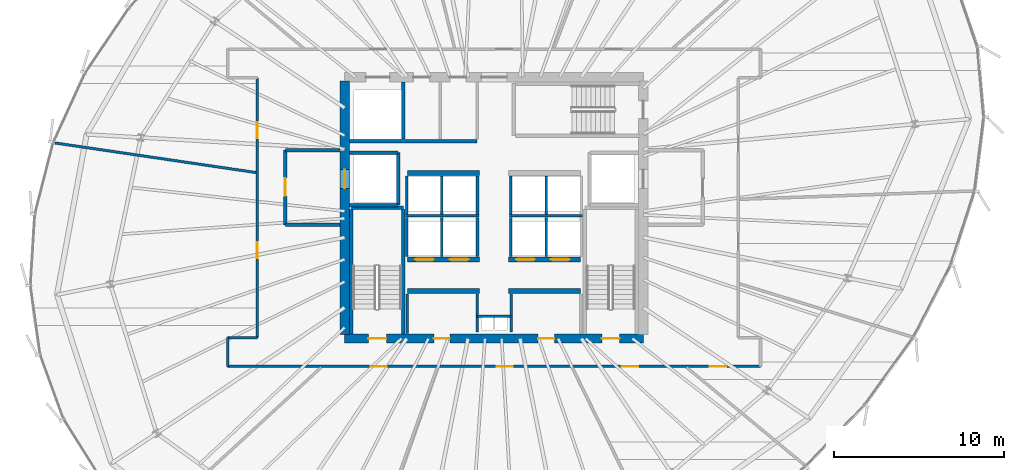
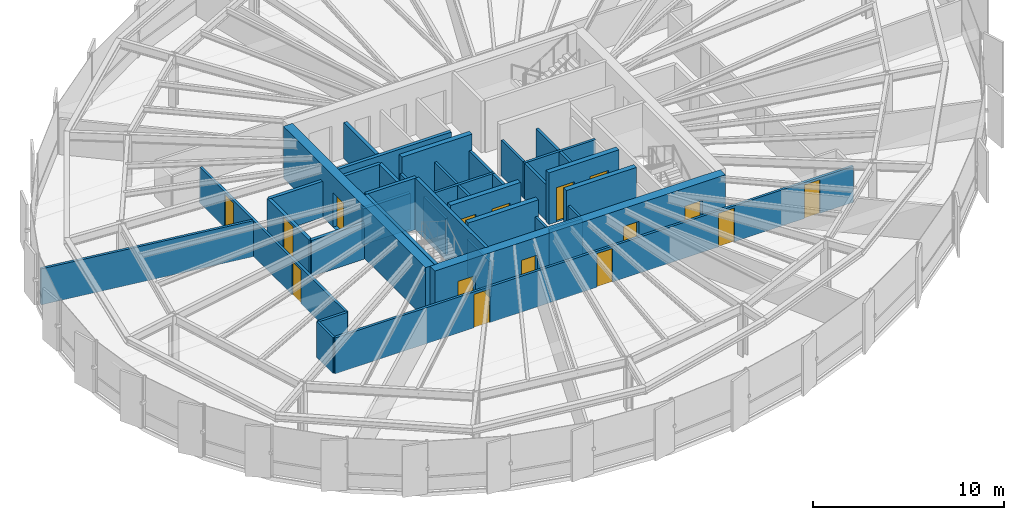
# One storey, part 29 of 35: 39 walls, 16 doors, 16 openings.
"""IFC4 building model written with IfcOpenShell, lengths in metres."""

from ifc_helpers import new_model, si_unit, direction, frame, frame_2d, origin, place, context, subcontext, project, spatial, rectangle, extrude, source, transform, mapped, material, layer, layer_set, type_object, element, fill, save


model = new_model("IFC4")

# Units and contexts
model_context = context("Model", 3, precision=1e-05, world=origin(), true_north=direction((0.0, 1.0)))
body_context = subcontext(model_context, "Body", "Model", "MODEL_VIEW")
ifc_project = project(units=[si_unit("LENGTHUNIT", "METRE"), si_unit("AREAUNIT", "SQUARE_METRE"), si_unit("VOLUMEUNIT", "CUBIC_METRE"), si_unit("PLANEANGLEUNIT", "RADIAN"), si_unit("MASSUNIT", "GRAM", prefix="KILO"), si_unit("THERMODYNAMICTEMPERATUREUNIT", "KELVIN")], contexts=[model_context])

# Site, building, storey
site_placement = place(None, origin())
site = spatial("IfcSite", under=ifc_project, at=site_placement, CompositionType="ELEMENT")
building_placement = place(site_placement, origin())
building = spatial("IfcBuilding", under=site, at=building_placement, Name="Kethvar Cultural Tower", CompositionType="ELEMENT")
storey_placement = place(building_placement, frame((0.0, 0.0, 139.449951171875)))
storey = spatial("IfcBuildingStorey", under=building, at=storey_placement, Name="L35", CompositionType="ELEMENT", Elevation=139.449951171875)

# Wall, openings, doors
ifc_material_1 = material(Name="Concrete C60/75", Category="concrete")
ifc_layer_1 = layer(ifc_material_1, 0.550048828125, Name="Concrete C60/75", Category="concrete")
ifc_layer_set_1 = layer_set([ifc_layer_1], Name="Concrete C60/75 (550 mm)")
wall_type_1 = type_object("IfcWallType", Name="WL-CORE-550", PredefinedType="SHEAR", material=ifc_layer_set_1)
wall_1_placement = place(storey_placement, frame((38.0, 20.10009765625, 0.0), z_axis=(0.0, 0.0, 1.0), x_axis=(1.0, 0.0, 0.0)))
wall_1 = element("IfcWall", 1, at=wall_1_placement, inside=storey, type_object=wall_type_1, Name="L35 Core Shear Wall S", PredefinedType="SHEAR", context=body_context, shape_type="SweptSolid", body=[
    extrude(rectangle(XDim=17.60009765625, YDim=0.550048828125, at=frame_2d((8.800048828125, 0.0))), origin(), (0.0, 0.0, 1.0), 3.300048828125),
])
opening_1_placement = place(wall_1_placement, frame((1.39990234375, 0.0, 0.0)))
opening_1 = element("IfcOpeningElement", 2, at=opening_1_placement, cuts=wall_1, Name="Opening D-L35-S1", PredefinedType="OPENING", context=body_context, shape_type="SweptSolid", body=[
    extrude(rectangle(XDim=1.050048828125, YDim=2.14990234375, at=frame_2d((0.52490234375, 1.074951171875))), frame((0.0, 0.284912109375, 0.0), z_axis=(0.0, -1.0, 0.0), x_axis=(1.0, 0.0, 0.0)), (0.0, 0.0, 1.0), 0.570068359375),
])
opening_2_placement = place(wall_1_placement, frame((15.14990234375, 0.0, 0.0)))
opening_2 = element("IfcOpeningElement", 3, at=opening_2_placement, cuts=wall_1, Name="Opening D-L35-ST2", PredefinedType="OPENING", context=body_context, shape_type="SweptSolid", body=[
    extrude(rectangle(XDim=1.050048828125, YDim=2.14990234375, at=frame_2d((0.52490234375, 1.074951171875))), frame((0.0, 0.284912109375, 0.0), z_axis=(0.0, -1.0, 0.0), x_axis=(1.0, 0.0, 0.0)), (0.0, 0.0, 1.0), 0.570068359375),
])
opening_3_placement = place(wall_1_placement, frame((5.25, 0.0, 0.0)))
opening_3 = element("IfcOpeningElement", 4, at=opening_3_placement, cuts=wall_1, Name="Opening D-L35-V1", PredefinedType="OPENING", context=body_context, shape_type="SweptSolid", body=[
    extrude(rectangle(XDim=0.949951171875, YDim=2.14990234375, at=frame_2d((0.47509765625, 1.074951171875))), frame((0.0, 0.284912109375, 0.0), z_axis=(0.0, -1.0, 0.0), x_axis=(1.0, 0.0, 0.0)), (0.0, 0.0, 1.0), 0.570068359375),
])
opening_4_placement = place(wall_1_placement, frame((11.39990234375, 0.0, 0.0)))
opening_4 = element("IfcOpeningElement", 5, at=opening_4_placement, cuts=wall_1, Name="Opening D-L35-V2", PredefinedType="OPENING", context=body_context, shape_type="SweptSolid", body=[
    extrude(rectangle(XDim=0.949951171875, YDim=2.14990234375, at=frame_2d((0.47509765625, 1.074951171875))), frame((0.0, 0.284912109375, 0.0), z_axis=(0.0, -1.0, 0.0), x_axis=(1.0, 0.0, 0.0)), (0.0, 0.0, 1.0), 0.570068359375),
])
ifc_material_2 = material(Name="Steel S355J2", Category="steel")
door_type_1 = type_object("IfcDoorType", Name="DR-FD60-1050", OperationType="NOTDEFINED", PredefinedType="DOOR", material=ifc_material_2)
shared_shape_1 = source(origin(), body_context, "Body", "SweptSolid", [
    extrude(rectangle(XDim=1.050048828125, YDim=2.14990234375, at=frame_2d((0.52490234375, 1.074951171875))), frame((0.0, 0.02490234375, 0.0), z_axis=(0.0, -1.0, 0.0), x_axis=(1.0, 0.0, 0.0)), (0.0, 0.0, 1.0), 0.050048828125),
])
door_1_placement = place(opening_1_placement, origin())
door_1 = element("IfcDoor", 6, at=door_1_placement, inside=storey, type_object=door_type_1, Name="L35 Exit Stair 1 Door", OperationType="SINGLE_SWING_LEFT", OverallHeight=2.14990234375, OverallWidth=1.050048828125, PredefinedType="DOOR", context=body_context, shape_type="MappedRepresentation", body=[
    mapped(shared_shape_1, transform((0.0, 0.0, 0.0), scale=1.0)),
])
fill(opening_1, door_1)
door_2_placement = place(opening_2_placement, origin())
door_2 = element("IfcDoor", 7, at=door_2_placement, inside=storey, type_object=door_type_1, Name="L35 Exit Stair 2 Door", OperationType="SINGLE_SWING_RIGHT", OverallHeight=2.14990234375, OverallWidth=1.050048828125, PredefinedType="DOOR", context=body_context, shape_type="MappedRepresentation", body=[
    mapped(shared_shape_1, transform((0.0, 0.0, 0.0), scale=1.0)),
])
fill(opening_2, door_2)
ifc_material_3 = material(Name="Architectural Oak Timber", Category="wood")
door_type_2 = type_object("IfcDoorType", Name="DR-FD30-950", OperationType="NOTDEFINED", PredefinedType="DOOR", material=ifc_material_3)
shared_shape_2 = source(origin(), body_context, "Body", "SweptSolid", [
    extrude(rectangle(XDim=0.949951171875, YDim=2.14990234375, at=frame_2d((0.47509765625, 1.074951171875))), frame((0.0, 0.02490234375, 0.0), z_axis=(0.0, -1.0, 0.0), x_axis=(1.0, 0.0, 0.0)), (0.0, 0.0, 1.0), 0.050048828125),
])
door_3_placement = place(opening_3_placement, origin())
door_3 = element("IfcDoor", 8, at=door_3_placement, inside=storey, type_object=door_type_2, Name="L35 Reclaimed West Room Door", OperationType="SINGLE_SWING_LEFT", OverallHeight=2.14990234375, OverallWidth=0.949951171875, PredefinedType="DOOR", context=body_context, shape_type="MappedRepresentation", body=[
    mapped(shared_shape_2, transform((0.0, 0.0, 0.0), scale=1.0)),
])
fill(opening_3, door_3)
door_4_placement = place(opening_4_placement, origin())
door_4 = element("IfcDoor", 9, at=door_4_placement, inside=storey, type_object=door_type_2, Name="L35 Reclaimed East Room Door", OperationType="SINGLE_SWING_RIGHT", OverallHeight=2.14990234375, OverallWidth=0.949951171875, PredefinedType="DOOR", context=body_context, shape_type="MappedRepresentation", body=[
    mapped(shared_shape_2, transform((0.0, 0.0, 0.0), scale=1.0)),
])
fill(opening_4, door_4)

# Wall, opening, door
wall_2_placement = place(storey_placement, frame((38.0, 35.260009765625, 0.0), z_axis=(0.0, 0.0, 1.0), x_axis=(0.0, -1.0, 0.0)))
wall_2 = element("IfcWall", 10, at=wall_2_placement, inside=storey, type_object=wall_type_1, Name="L35 Core Shear Wall W", PredefinedType="SHEAR", context=body_context, shape_type="SweptSolid", body=[
    extrude(rectangle(XDim=14.919921875, YDim=0.550048828125, at=frame_2d((7.4599609375, 0.0))), origin(), (0.0, 0.0, 1.0), 3.300048828125),
])
opening_5_placement = place(wall_2_placement, frame((5.2099609375, 0.0, 0.0)))
opening_5 = element("IfcOpeningElement", 11, at=opening_5_placement, cuts=wall_2, Name="Opening LD-1", PredefinedType="OPENING", context=body_context, shape_type="SweptSolid", body=[
    extrude(rectangle(XDim=1.10009765625, YDim=2.199951171875, at=frame_2d((0.550048828125, 1.10009765625))), frame((0.0, 0.284912109375, 0.0), z_axis=(0.0, -1.0, 0.0), x_axis=(1.0, 0.0, 0.0)), (0.0, 0.0, 1.0), 0.570068359375),
])
door_type_3 = type_object("IfcDoorType", Name="DR-LIFT-SLIDE-1100", OperationType="NOTDEFINED", PredefinedType="DOOR", material=ifc_material_2)
shared_shape_3 = source(origin(), body_context, "Body", "SweptSolid", [
    extrude(rectangle(XDim=1.10009765625, YDim=2.199951171875, at=frame_2d((0.550048828125, 1.10009765625))), frame((0.0, 0.02490234375, 0.0), z_axis=(0.0, -1.0, 0.0), x_axis=(1.0, 0.0, 0.0)), (0.0, 0.0, 1.0), 0.050048828125),
])
door_5_placement = place(opening_5_placement, origin())
door_5 = element("IfcDoor", 12, at=door_5_placement, inside=storey, type_object=door_type_3, Name="L35 Firefighting Lift Landing Door FFL-01", OperationType="SLIDING_TO_LEFT", OverallHeight=2.199951171875, OverallWidth=1.10009765625, PredefinedType="DOOR", context=body_context, shape_type="MappedRepresentation", body=[
    mapped(shared_shape_3, transform((0.0, 0.0, 0.0), scale=1.0)),
])
fill(opening_5, door_5)

# Walls
ifc_material_4 = material(Name="Gypsum Fireboard Partition")
ifc_layer_2 = layer(ifc_material_4, 0.14990234375, Name="Gypsum Fireboard Partition")
ifc_layer_set_2 = layer_set([ifc_layer_2], Name="Gypsum Fireboard Partition (150 mm)")
wall_type_2 = type_object("IfcWallType", Name="WL-FIRE-150", PredefinedType="PARTITIONING", material=ifc_layer_set_2)
wall_3_placement = place(storey_placement, frame((45.800048828125, 21.419921875, 0.0), z_axis=(0.0, 0.0, 1.0), x_axis=(1.0, 0.0, 0.0)))
element("IfcWall", 13, at=wall_3_placement, inside=storey, type_object=wall_type_2, Name="L35 Core Riser Wall", PredefinedType="PARTITIONING", context=body_context, shape_type="SweptSolid", body=[
    extrude(rectangle(XDim=2.0, YDim=0.14990234375, at=frame_2d((1.0, 0.0))), origin(), (0.0, 0.0, 1.0), 2.304931640625),
])
for number, where, z_axis, x_axis, name in (
    (14, (45.800048828125, 20.47998046875, 0.0), (0.0, 0.0, 1.0), (0.0, 1.0, 0.0), "L35 Core Riser West Wall"),
    (15, (47.800048828125, 20.47998046875, 0.0), (0.0, 0.0, 1.0), (0.0, 1.0, 0.0), "L35 Core Riser East Wall"),
):
    element("IfcWall", number, at=place(storey_placement, frame(where, z_axis=z_axis, x_axis=x_axis)), inside=storey, type_object=wall_type_2, Name=name, PredefinedType="PARTITIONING", context=body_context, shape_type="SweptSolid", body=[
        extrude(rectangle(XDim=2.239990234375, YDim=0.14990234375, at=frame_2d((1.1201171875, 0.0))), origin(), (0.0, 0.0, 1.0), 2.304931640625),
    ])
wall_4_placement = place(storey_placement, frame((41.679931640625, 20.385009765625, 0.0), z_axis=(0.0, 0.0, 1.0), x_axis=(0.0, 1.0, 0.0)))
element("IfcWall", 16, at=wall_4_placement, inside=storey, type_object=wall_type_2, Name="L35 Reclaimed West Outer Wall", PredefinedType="PARTITIONING", context=body_context, shape_type="SweptSolid", body=[
    extrude(rectangle(XDim=2.344970703125, YDim=0.14990234375, at=frame_2d((1.17236328125, 0.0))), origin(), (0.0, 0.0, 1.0), 2.304931640625),
])
wall_5_placement = place(storey_placement, frame((41.580078125, 27.324951171875, 0.0), z_axis=(0.0, 0.0, 1.0), x_axis=(1.0, 0.0, 0.0)))
element("IfcWall", 17, at=wall_5_placement, inside=storey, type_object=wall_type_2, Name="L35 Mid-High Lift Shaft Back Wall W", PredefinedType="PARTITIONING", context=body_context, shape_type="SweptSolid", body=[
    extrude(rectangle(XDim=4.31982421875, YDim=0.14990234375, at=frame_2d((2.159912109375, 0.0))), origin(), (0.0, 0.0, 1.0), 2.304931640625),
])
wall_6_placement = place(storey_placement, frame((47.699951171875, 27.324951171875, 0.0), z_axis=(0.0, 0.0, 1.0), x_axis=(1.0, 0.0, 0.0)))
element("IfcWall", 18, at=wall_6_placement, inside=storey, type_object=wall_type_2, Name="L35 Mid-High Lift Shaft Back Wall E", PredefinedType="PARTITIONING", context=body_context, shape_type="SweptSolid", body=[
    extrude(rectangle(XDim=4.320068359375, YDim=0.14990234375, at=frame_2d((2.16015625, 0.0))), origin(), (0.0, 0.0, 1.0), 2.304931640625),
])
for number, where, z_axis, x_axis, name in (
    (19, (41.64990234375, 24.919921875, 0.0), (0.0, 0.0, 1.0), (0.0, 1.0, 0.0), "L35 Mid-Rise Lift Shaft Outer Wall W"),
    (20, (43.72509765625, 24.919921875, 0.0), (0.0, 0.0, 1.0), (0.0, 1.0, 0.0), "L35 Mid-Rise Lift Shaft Divider W"),
    (21, (45.824951171875, 24.919921875, 0.0), (0.0, 0.0, 1.0), (0.0, 1.0, 0.0), "L35 Mid-Rise Lift Shaft Concourse Wall W"),
    (22, (47.77490234375, 24.919921875, 0.0), (0.0, 0.0, 1.0), (0.0, 1.0, 0.0), "L35 Mid-Rise Lift Shaft Concourse Wall E"),
    (23, (49.875, 24.919921875, 0.0), (0.0, 0.0, 1.0), (0.0, 1.0, 0.0), "L35 Mid-Rise Lift Shaft Divider E"),
):
    element("IfcWall", number, at=place(storey_placement, frame(where, z_axis=z_axis, x_axis=x_axis)), inside=storey, type_object=wall_type_2, Name=name, PredefinedType="PARTITIONING", context=body_context, shape_type="SweptSolid", body=[
        extrude(rectangle(XDim=2.320068359375, YDim=0.14990234375, at=frame_2d((1.16015625, 0.0))), origin(), (0.0, 0.0, 1.0), 2.304931640625),
    ])
for number, where, z_axis, x_axis, name in (
    (24, (41.64990234375, 27.409912109375, 0.0), (0.0, 0.0, 1.0), (0.0, 1.0, 0.0), "L35 High-Rise Lift Shaft Outer Wall W"),
    (25, (43.72509765625, 27.409912109375, 0.0), (0.0, 0.0, 1.0), (0.0, 1.0, 0.0), "L35 High-Rise Lift Shaft Divider W"),
    (26, (45.824951171875, 27.409912109375, 0.0), (0.0, 0.0, 1.0), (0.0, 1.0, 0.0), "L35 High-Rise Lift Shaft Concourse Wall W"),
    (27, (47.77490234375, 27.409912109375, 0.0), (0.0, 0.0, 1.0), (0.0, 1.0, 0.0), "L35 High-Rise Lift Shaft Concourse Wall E"),
    (28, (49.875, 27.409912109375, 0.0), (0.0, 0.0, 1.0), (0.0, 1.0, 0.0), "L35 High-Rise Lift Shaft Divider E"),
):
    element("IfcWall", number, at=place(storey_placement, frame(where, z_axis=z_axis, x_axis=x_axis)), inside=storey, type_object=wall_type_2, Name=name, PredefinedType="PARTITIONING", context=body_context, shape_type="SweptSolid", body=[
        extrude(rectangle(XDim=2.27001953125, YDim=0.14990234375, at=frame_2d((1.135009765625, 0.0))), origin(), (0.0, 0.0, 1.0), 2.304931640625),
    ])

# Wall, openings, doors
wall_7_placement = place(storey_placement, frame((31.10009765625, 18.449951171875, 0.0), z_axis=(0.0, 0.0, 1.0), x_axis=(1.0, 0.0, 0.0)))
wall_7 = element("IfcWall", 29, at=wall_7_placement, inside=storey, type_object=wall_type_2, Name="L35 Corridor Rated Wall S", PredefinedType="PARTITIONING", context=body_context, shape_type="SweptSolid", body=[
    extrude(rectangle(XDim=31.39990234375, YDim=0.14990234375, at=frame_2d((15.699951171875, 0.0))), origin(), (0.0, 0.0, 1.0), 2.304931640625),
])
opening_6_placement = place(wall_7_placement, frame((8.432861328125, 0.0, 0.0)))
opening_6 = element("IfcOpeningElement", 30, at=opening_6_placement, cuts=wall_7, Name="Opening D-L35-01", PredefinedType="OPENING", context=body_context, shape_type="SweptSolid", body=[
    extrude(rectangle(XDim=0.949951171875, YDim=2.14990234375, at=frame_2d((0.47509765625, 1.074951171875))), frame((0.0, 0.0849609375, 0.0), z_axis=(0.0, -1.0, 0.0), x_axis=(1.0, 0.0, 0.0)), (0.0, 0.0, 1.0), 0.169921875),
])
opening_7_placement = place(wall_7_placement, frame((15.86083984375, 0.0, 0.0)))
opening_7 = element("IfcOpeningElement", 31, at=opening_7_placement, cuts=wall_7, Name="Opening D-L35-02", PredefinedType="OPENING", context=body_context, shape_type="SweptSolid", body=[
    extrude(rectangle(XDim=0.949951171875, YDim=2.14990234375, at=frame_2d((0.47509765625, 1.074951171875))), frame((0.0, 0.0849609375, 0.0), z_axis=(0.0, -1.0, 0.0), x_axis=(1.0, 0.0, 0.0)), (0.0, 0.0, 1.0), 0.169921875),
])
opening_8_placement = place(wall_7_placement, frame((23.23388671875, 0.0, 0.0)))
opening_8 = element("IfcOpeningElement", 32, at=opening_8_placement, cuts=wall_7, Name="Opening D-L35-03", PredefinedType="OPENING", context=body_context, shape_type="SweptSolid", body=[
    extrude(rectangle(XDim=0.949951171875, YDim=2.14990234375, at=frame_2d((0.47509765625, 1.074951171875))), frame((0.0, 0.0849609375, 0.0), z_axis=(0.0, -1.0, 0.0), x_axis=(1.0, 0.0, 0.0)), (0.0, 0.0, 1.0), 0.169921875),
])
opening_9_placement = place(wall_7_placement, frame((28.424072265625, 0.0, 0.0)))
opening_9 = element("IfcOpeningElement", 33, at=opening_9_placement, cuts=wall_7, Name="Opening D-L35-04", PredefinedType="OPENING", context=body_context, shape_type="SweptSolid", body=[
    extrude(rectangle(XDim=0.949951171875, YDim=2.14990234375, at=frame_2d((0.47509765625, 1.074951171875))), frame((0.0, 0.0849609375, 0.0), z_axis=(0.0, -1.0, 0.0), x_axis=(1.0, 0.0, 0.0)), (0.0, 0.0, 1.0), 0.169921875),
])
door_6_placement = place(opening_6_placement, origin())
door_6 = element("IfcDoor", 34, at=door_6_placement, inside=storey, type_object=door_type_2, Name="L35 Compact Archival Store 01 Door", OperationType="SINGLE_SWING_RIGHT", OverallHeight=2.14990234375, OverallWidth=0.949951171875, PredefinedType="DOOR", context=body_context, shape_type="MappedRepresentation", body=[
    mapped(shared_shape_2, transform((0.0, 0.0, 0.0), scale=1.0)),
])
fill(opening_6, door_6)
door_7_placement = place(opening_7_placement, origin())
door_7 = element("IfcDoor", 35, at=door_7_placement, inside=storey, type_object=door_type_2, Name="L35 Rare Folio Storage 02 Door", OperationType="SINGLE_SWING_LEFT", OverallHeight=2.14990234375, OverallWidth=0.949951171875, PredefinedType="DOOR", context=body_context, shape_type="MappedRepresentation", body=[
    mapped(shared_shape_2, transform((0.0, 0.0, 0.0), scale=1.0)),
])
fill(opening_7, door_7)
door_8_placement = place(opening_8_placement, origin())
door_8 = element("IfcDoor", 36, at=door_8_placement, inside=storey, type_object=door_type_2, Name="L35 Publication Archive Store 03 Door", OperationType="SINGLE_SWING_RIGHT", OverallHeight=2.14990234375, OverallWidth=0.949951171875, PredefinedType="DOOR", context=body_context, shape_type="MappedRepresentation", body=[
    mapped(shared_shape_2, transform((0.0, 0.0, 0.0), scale=1.0)),
])
fill(opening_8, door_8)
door_9_placement = place(opening_9_placement, origin())
door_9 = element("IfcDoor", 37, at=door_9_placement, inside=storey, type_object=door_type_2, Name="L35 Special Collections Storage 04 Door", OperationType="SINGLE_SWING_LEFT", OverallHeight=2.14990234375, OverallWidth=0.949951171875, PredefinedType="DOOR", context=body_context, shape_type="MappedRepresentation", body=[
    mapped(shared_shape_2, transform((0.0, 0.0, 0.0), scale=1.0)),
])
fill(opening_9, door_9)

wall_8_placement = place(storey_placement, frame((32.85009765625, 35.449951171875, 0.0), z_axis=(0.0, 0.0, 1.0), x_axis=(0.0, -1.0, 0.0)))
wall_8 = element("IfcWall", 38, at=wall_8_placement, inside=storey, type_object=wall_type_2, Name="L35 Corridor Rated Wall WM", PredefinedType="PARTITIONING", context=body_context, shape_type="SweptSolid", body=[
    extrude(rectangle(XDim=15.300048828125, YDim=0.14990234375, at=frame_2d((7.64990234375, 0.0))), origin(), (0.0, 0.0, 1.0), 2.304931640625),
])
opening_10_placement = place(wall_8_placement, frame((2.60693359375, 0.0, 0.0)))
opening_10 = element("IfcOpeningElement", 39, at=opening_10_placement, cuts=wall_8, Name="Opening D-L35-10", PredefinedType="OPENING", context=body_context, shape_type="SweptSolid", body=[
    extrude(rectangle(XDim=0.949951171875, YDim=2.14990234375, at=frame_2d((0.47509765625, 1.074951171875))), frame((0.0, 0.0849609375, 0.0), z_axis=(0.0, -1.0, 0.0), x_axis=(1.0, 0.0, 0.0)), (0.0, 0.0, 1.0), 0.169921875),
])
opening_11_placement = place(wall_8_placement, frame((9.675537109375, 0.0, 0.0)))
opening_11 = element("IfcOpeningElement", 40, at=opening_11_placement, cuts=wall_8, Name="Opening D-L35-11", PredefinedType="OPENING", context=body_context, shape_type="SweptSolid", body=[
    extrude(rectangle(XDim=0.949951171875, YDim=2.14990234375, at=frame_2d((0.47509765625, 1.074951171875))), frame((0.0, 0.0849609375, 0.0), z_axis=(0.0, -1.0, 0.0), x_axis=(1.0, 0.0, 0.0)), (0.0, 0.0, 1.0), 0.169921875),
])
door_10_placement = place(opening_10_placement, origin())
door_10 = element("IfcDoor", 41, at=door_10_placement, inside=storey, type_object=door_type_2, Name="L35 Delegation Briefing Foyer 10 Door", OperationType="SINGLE_SWING_LEFT", OverallHeight=2.14990234375, OverallWidth=0.949951171875, PredefinedType="DOOR", context=body_context, shape_type="MappedRepresentation", body=[
    mapped(shared_shape_2, transform((0.0, 0.0, 0.0), scale=1.0)),
])
fill(opening_10, door_10)
door_11_placement = place(opening_11_placement, origin())
door_11 = element("IfcDoor", 42, at=door_11_placement, inside=storey, type_object=door_type_2, Name="L35 Executive Boardroom 11 Door", OperationType="SINGLE_SWING_RIGHT", OverallHeight=2.14990234375, OverallWidth=0.949951171875, PredefinedType="DOOR", context=body_context, shape_type="MappedRepresentation", body=[
    mapped(shared_shape_2, transform((0.0, 0.0, 0.0), scale=1.0)),
])
fill(opening_11, door_11)

# Walls
wall_9_placement = place(storey_placement, frame((32.85009765625, 20.14990234375, 0.0), z_axis=(0.0, 0.0, 1.0), x_axis=(-1.0, 0.0, 0.0)))
element("IfcWall", 43, at=wall_9_placement, inside=storey, type_object=wall_type_2, Name="L35 Corridor Rated Wall WST", PredefinedType="PARTITIONING", context=body_context, shape_type="SweptSolid", body=[
    extrude(rectangle(XDim=1.75, YDim=0.14990234375, at=frame_2d((0.875, 0.0))), origin(), (0.0, 0.0, 1.0), 2.304931640625),
])
wall_10_placement = place(storey_placement, frame((31.10009765625, 20.14990234375, 0.0), z_axis=(0.0, 0.0, 1.0), x_axis=(0.0, -1.0, 0.0)))
element("IfcWall", 44, at=wall_10_placement, inside=storey, type_object=wall_type_2, Name="L35 Corridor Rated Wall WS", PredefinedType="PARTITIONING", context=body_context, shape_type="SweptSolid", body=[
    extrude(rectangle(XDim=1.699951171875, YDim=0.14990234375, at=frame_2d((0.85009765625, 0.0))), origin(), (0.0, 0.0, 1.0), 2.304931640625),
])
ifc_material_5 = material(Name="Concrete C40/50", Category="concrete")
ifc_layer_3 = layer(ifc_material_5, 0.199951171875, Name="Concrete C40/50", Category="concrete")
ifc_layer_set_3 = layer_set([ifc_layer_3], Name="Concrete C40/50 (200 mm)")
wall_type_3 = type_object("IfcWallType", Name="WL-FIRE-200", PredefinedType="PARTITIONING", material=ifc_layer_set_3)
wall_11_placement = place(storey_placement, frame((41.14990234375, 27.949951171875, 0.0), z_axis=(0.0, 0.0, 1.0), x_axis=(0.0, 1.0, 0.0)))
element("IfcWall", 45, at=wall_11_placement, inside=storey, type_object=wall_type_3, Name="L35 FFL-01 Shaft Inner Wall", PredefinedType="PARTITIONING", context=body_context, shape_type="SweptSolid", body=[
    extrude(rectangle(XDim=3.10009765625, YDim=0.199951171875, at=frame_2d((1.550048828125, 0.0))), origin(), (0.0, 0.0, 1.0), 2.304931640625),
])
for number, where, z_axis, x_axis, name in (
    (46, (38.284912109375, 27.949951171875, 0.0), (0.0, 0.0, 1.0), (1.0, 0.0, 0.0), "L35 FFL-01 Shaft South Wall"),
    (47, (38.284912109375, 31.050048828125, 0.0), (0.0, 0.0, 1.0), (1.0, 0.0, 0.0), "L35 FFL-01 Shaft North Wall"),
):
    element("IfcWall", number, at=place(storey_placement, frame(where, z_axis=z_axis, x_axis=x_axis)), inside=storey, type_object=wall_type_3, Name=name, PredefinedType="PARTITIONING", context=body_context, shape_type="SweptSolid", body=[
        extrude(rectangle(XDim=2.864990234375, YDim=0.199951171875, at=frame_2d((1.4326171875, 0.0))), origin(), (0.0, 0.0, 1.0), 2.304931640625),
    ])

# Wall, opening, door
wall_12_placement = place(storey_placement, frame((34.5, 31.199951171875, 0.0), z_axis=(0.0, 0.0, 1.0), x_axis=(0.0, -1.0, 0.0)))
wall_12 = element("IfcWall", 48, at=wall_12_placement, inside=storey, type_object=wall_type_3, Name="L35 Firefighting Lobby 1 Wall", PredefinedType="PARTITIONING", context=body_context, shape_type="SweptSolid", body=[
    extrude(rectangle(XDim=4.39990234375, YDim=0.199951171875, at=frame_2d((2.199951171875, 0.0))), origin(), (0.0, 0.0, 1.0), 2.304931640625),
])
opening_12_placement = place(wall_12_placement, frame((1.64990234375, 0.0, 0.0)))
opening_12 = element("IfcOpeningElement", 49, at=opening_12_placement, cuts=wall_12, Name="Opening D-L35-F1", PredefinedType="OPENING", context=body_context, shape_type="SweptSolid", body=[
    extrude(rectangle(XDim=1.050048828125, YDim=2.14990234375, at=frame_2d((0.52490234375, 1.074951171875))), frame((0.0, 0.10986328125, 0.0), z_axis=(0.0, -1.0, 0.0), x_axis=(1.0, 0.0, 0.0)), (0.0, 0.0, 1.0), 0.219970703125),
])
door_12_placement = place(opening_12_placement, origin())
door_12 = element("IfcDoor", 50, at=door_12_placement, inside=storey, type_object=door_type_1, Name="L35 Firefighting Lobby 1 Fire Door", OperationType="SINGLE_SWING_LEFT", OverallHeight=2.14990234375, OverallWidth=1.050048828125, PredefinedType="DOOR", context=body_context, shape_type="MappedRepresentation", body=[
    mapped(shared_shape_1, transform((0.0, 0.0, 0.0), scale=1.0)),
])
fill(opening_12, door_12)

# Walls
for number, where, z_axis, x_axis, name in (
    (51, (34.5, 26.800048828125, 0.0), (0.0, 0.0, 1.0), (1.0, 0.0, 0.0), "L35 FF Lobby 1 South Wall"),
    (52, (34.5, 31.199951171875, 0.0), (0.0, 0.0, 1.0), (1.0, 0.0, 0.0), "L35 FF Lobby 1 North Wall"),
):
    element("IfcWall", number, at=place(storey_placement, frame(where, z_axis=z_axis, x_axis=x_axis)), inside=storey, type_object=wall_type_3, Name=name, PredefinedType="PARTITIONING", context=body_context, shape_type="SweptSolid", body=[
        extrude(rectangle(XDim=3.215087890625, YDim=0.199951171875, at=frame_2d((1.607421875, 0.0))), origin(), (0.0, 0.0, 1.0), 2.304931640625),
    ])
wall_13_placement = place(storey_placement, frame((41.449951171875, 31.85009765625, 0.0), z_axis=(0.0, 0.0, 1.0), x_axis=(0.0, 1.0, 0.0)))
element("IfcWall", 53, at=wall_13_placement, inside=storey, type_object=wall_type_3, Name="L35 NW Core Pocket Wall", PredefinedType="PARTITIONING", context=body_context, shape_type="SweptSolid", body=[
    extrude(rectangle(XDim=3.364990234375, YDim=0.199951171875, at=frame_2d((1.6826171875, 0.0))), origin(), (0.0, 0.0, 1.0), 2.304931640625),
])
wall_14_placement = place(storey_placement, frame((38.284912109375, 31.72998046875, 0.0), z_axis=(0.0, 0.0, 1.0), x_axis=(1.0, 0.0, 0.0)))
element("IfcWall", 54, at=wall_14_placement, inside=storey, type_object=wall_type_3, Name="L35 North Core Sanitary South Wall", PredefinedType="PARTITIONING", context=body_context, shape_type="SweptSolid", body=[
    extrude(rectangle(XDim=7.51513671875, YDim=0.199951171875, at=frame_2d((3.757568359375, 0.0))), origin(), (0.0, 0.0, 1.0), 2.304931640625),
])
ifc_material_6 = material(Name="Gypsum Acoustic Partition")
ifc_layer_4 = layer(ifc_material_6, 0.14990234375, Name="Gypsum Acoustic Partition")
ifc_layer_set_4 = layer_set([ifc_layer_4], Name="Gypsum Acoustic Partition (150 mm)")
wall_type_4 = type_object("IfcWallType", Name="WL-PART-150", PredefinedType="PARTITIONING", material=ifc_layer_set_4)
wall_15_placement = place(storey_placement, frame((32.77099609375, 29.877197265625, 0.0), z_axis=(0.0, 0.0, 1.0), x_axis=(-0.98934824772, 0.145568007244, 0.0)))
element("IfcWall", 55, at=wall_15_placement, inside=storey, type_object=wall_type_4, Name="L35 Radial Partition Wall 11", PredefinedType="PARTITIONING", context=body_context, shape_type="SweptSolid", body=[
    extrude(rectangle(XDim=11.96484375, YDim=0.14990234375, at=frame_2d((5.982421875, 0.0))), origin(), (0.0, 0.0, 1.0), 2.304931640625),
])
ifc_material_7 = material(Name="Concrete C50/60", Category="concrete")
ifc_layer_5 = layer(ifc_material_7, 0.300048828125, Name="Concrete C50/60", Category="concrete")
ifc_layer_set_5 = layer_set([ifc_layer_5], Name="Concrete C50/60 (300 mm)")
wall_type_5 = type_object("IfcWallType", Name="WL-SHAFT-300", PredefinedType="SHEAR", material=ifc_layer_set_5)
for number, where, z_axis, x_axis, name in (
    (56, (41.699951171875, 22.89990234375, 0.0), (0.0, 0.0, 1.0), (1.0, 0.0, 0.0), "L35 Core Lift Spine Wall MID1W"),
    (57, (47.64990234375, 22.89990234375, 0.0), (0.0, 0.0, 1.0), (1.0, 0.0, 0.0), "L35 Core Lift Spine Wall MID1E"),
):
    element("IfcWall", number, at=place(storey_placement, frame(where, z_axis=z_axis, x_axis=x_axis)), inside=storey, type_object=wall_type_5, Name=name, PredefinedType="SHEAR", context=body_context, shape_type="SweptSolid", body=[
        extrude(rectangle(XDim=4.25, YDim=0.300048828125, at=frame_2d((2.125, 0.0))), origin(), (0.0, 0.0, 1.0), 3.300048828125),
    ])

# Wall, openings, doors
wall_16_placement = place(storey_placement, frame((41.699951171875, 24.75, 0.0), z_axis=(0.0, 0.0, 1.0), x_axis=(1.0, 0.0, 0.0)))
wall_16 = element("IfcWall", 58, at=wall_16_placement, inside=storey, type_object=wall_type_5, Name="L35 Core Lift Spine Wall MID2W", PredefinedType="SHEAR", context=body_context, shape_type="SweptSolid", body=[
    extrude(rectangle(XDim=4.25, YDim=0.300048828125, at=frame_2d((2.125, 0.0))), origin(), (0.0, 0.0, 1.0), 3.300048828125),
])
opening_13_placement = place(wall_16_placement, frame((0.449951171875, 0.0, 0.0)))
opening_13 = element("IfcOpeningElement", 59, at=opening_13_placement, cuts=wall_16, Name="Opening LD-M1", PredefinedType="OPENING", context=body_context, shape_type="SweptSolid", body=[
    extrude(rectangle(XDim=1.10009765625, YDim=2.199951171875, at=frame_2d((0.550048828125, 1.10009765625))), frame((0.0, 0.159912109375, 0.0), z_axis=(0.0, -1.0, 0.0), x_axis=(1.0, 0.0, 0.0)), (0.0, 0.0, 1.0), 0.320068359375),
])
opening_14_placement = place(wall_16_placement, frame((2.5, 0.0, 0.0)))
opening_14 = element("IfcOpeningElement", 60, at=opening_14_placement, cuts=wall_16, Name="Opening LD-M2", PredefinedType="OPENING", context=body_context, shape_type="SweptSolid", body=[
    extrude(rectangle(XDim=1.10009765625, YDim=2.199951171875, at=frame_2d((0.550048828125, 1.10009765625))), frame((0.0, 0.159912109375, 0.0), z_axis=(0.0, -1.0, 0.0), x_axis=(1.0, 0.0, 0.0)), (0.0, 0.0, 1.0), 0.320068359375),
])
door_13_placement = place(opening_13_placement, origin())
door_13 = element("IfcDoor", 61, at=door_13_placement, inside=storey, type_object=door_type_3, Name="L35 Mid-Rise Lift Landing Door M1", OperationType="SLIDING_TO_RIGHT", OverallHeight=2.199951171875, OverallWidth=1.10009765625, PredefinedType="DOOR", context=body_context, shape_type="MappedRepresentation", body=[
    mapped(shared_shape_3, transform((0.0, 0.0, 0.0), scale=1.0)),
])
fill(opening_13, door_13)
door_14_placement = place(opening_14_placement, origin())
door_14 = element("IfcDoor", 62, at=door_14_placement, inside=storey, type_object=door_type_3, Name="L35 Mid-Rise Lift Landing Door M2", OperationType="SLIDING_TO_RIGHT", OverallHeight=2.199951171875, OverallWidth=1.10009765625, PredefinedType="DOOR", context=body_context, shape_type="MappedRepresentation", body=[
    mapped(shared_shape_3, transform((0.0, 0.0, 0.0), scale=1.0)),
])
fill(opening_14, door_14)

wall_17_placement = place(storey_placement, frame((47.64990234375, 24.75, 0.0), z_axis=(0.0, 0.0, 1.0), x_axis=(1.0, 0.0, 0.0)))
wall_17 = element("IfcWall", 63, at=wall_17_placement, inside=storey, type_object=wall_type_5, Name="L35 Core Lift Spine Wall MID2E", PredefinedType="SHEAR", context=body_context, shape_type="SweptSolid", body=[
    extrude(rectangle(XDim=4.25, YDim=0.300048828125, at=frame_2d((2.125, 0.0))), origin(), (0.0, 0.0, 1.0), 3.300048828125),
])
opening_15_placement = place(wall_17_placement, frame((0.449951171875, 0.0, 0.0)))
opening_15 = element("IfcOpeningElement", 64, at=opening_15_placement, cuts=wall_17, Name="Opening LD-M3", PredefinedType="OPENING", context=body_context, shape_type="SweptSolid", body=[
    extrude(rectangle(XDim=1.10009765625, YDim=2.199951171875, at=frame_2d((0.550048828125, 1.10009765625))), frame((0.0, 0.159912109375, 0.0), z_axis=(0.0, -1.0, 0.0), x_axis=(1.0, 0.0, 0.0)), (0.0, 0.0, 1.0), 0.320068359375),
])
opening_16_placement = place(wall_17_placement, frame((2.5, 0.0, 0.0)))
opening_16 = element("IfcOpeningElement", 65, at=opening_16_placement, cuts=wall_17, Name="Opening LD-M4", PredefinedType="OPENING", context=body_context, shape_type="SweptSolid", body=[
    extrude(rectangle(XDim=1.10009765625, YDim=2.199951171875, at=frame_2d((0.550048828125, 1.10009765625))), frame((0.0, 0.159912109375, 0.0), z_axis=(0.0, -1.0, 0.0), x_axis=(1.0, 0.0, 0.0)), (0.0, 0.0, 1.0), 0.320068359375),
])
door_15_placement = place(opening_15_placement, origin())
door_15 = element("IfcDoor", 66, at=door_15_placement, inside=storey, type_object=door_type_3, Name="L35 Mid-Rise Lift Landing Door M3", OperationType="SLIDING_TO_RIGHT", OverallHeight=2.199951171875, OverallWidth=1.10009765625, PredefinedType="DOOR", context=body_context, shape_type="MappedRepresentation", body=[
    mapped(shared_shape_3, transform((0.0, 0.0, 0.0), scale=1.0)),
])
fill(opening_15, door_15)
door_16_placement = place(opening_16_placement, origin())
door_16 = element("IfcDoor", 67, at=door_16_placement, inside=storey, type_object=door_type_3, Name="L35 Mid-Rise Lift Landing Door M4", OperationType="SLIDING_TO_RIGHT", OverallHeight=2.199951171875, OverallWidth=1.10009765625, PredefinedType="DOOR", context=body_context, shape_type="MappedRepresentation", body=[
    mapped(shared_shape_3, transform((0.0, 0.0, 0.0), scale=1.0)),
])
fill(opening_16, door_16)

# Walls
wall_18_placement = place(storey_placement, frame((41.699951171875, 29.85009765625, 0.0), z_axis=(0.0, 0.0, 1.0), x_axis=(1.0, 0.0, 0.0)))
element("IfcWall", 68, at=wall_18_placement, inside=storey, type_object=wall_type_5, Name="L35 Core Lift Spine Wall MID3W", PredefinedType="SHEAR", context=body_context, shape_type="SweptSolid", body=[
    extrude(rectangle(XDim=4.25, YDim=0.300048828125, at=frame_2d((2.125, 0.0))), origin(), (0.0, 0.0, 1.0), 3.300048828125),
])
ifc_layer_6 = layer(ifc_material_7, 0.199951171875, Name="Concrete C50/60", Category="concrete")
ifc_layer_set_6 = layer_set([ifc_layer_6], Name="Concrete C50/60 (200 mm)")
wall_type_6 = type_object("IfcWallType", Name="WL-STSHAFT-200", PredefinedType="SHEAR", material=ifc_layer_set_6)
wall_19_placement = place(storey_placement, frame((38.389892578125, 27.800048828125, 0.0), z_axis=(0.0, 0.0, 1.0), x_axis=(1.0, 0.0, 0.0)))
element("IfcWall", 69, at=wall_19_placement, inside=storey, type_object=wall_type_6, Name="L35 ST-01 Stair Shaft Wall FAR", PredefinedType="SHEAR", context=body_context, shape_type="SweptSolid", body=[
    extrude(rectangle(XDim=3.06005859375, YDim=0.199951171875, at=frame_2d((1.530029296875, 0.0))), origin(), (0.0, 0.0, 1.0), 3.300048828125),
])
for number, where, z_axis, x_axis, name in (
    (70, (41.449951171875, 27.699951171875, 0.0), (0.0, 0.0, 1.0), (0.0, -1.0, 0.0), "L35 ST-01 Stair Shaft Wall LEFT"),
    (71, (38.389892578125, 20.35009765625, 0.0), (0.0, 0.0, 1.0), (0.0, 1.0, 0.0), "L35 ST-01 Stair Shaft Wall RIGHT"),
):
    element("IfcWall", number, at=place(storey_placement, frame(where, z_axis=z_axis, x_axis=x_axis)), inside=storey, type_object=wall_type_6, Name=name, PredefinedType="SHEAR", context=body_context, shape_type="SweptSolid", body=[
        extrude(rectangle(XDim=7.349853515625, YDim=0.199951171875, at=frame_2d((3.6748046875, 0.0))), origin(), (0.0, 0.0, 1.0), 3.300048828125),
    ])

save(model, "model.ifc")
